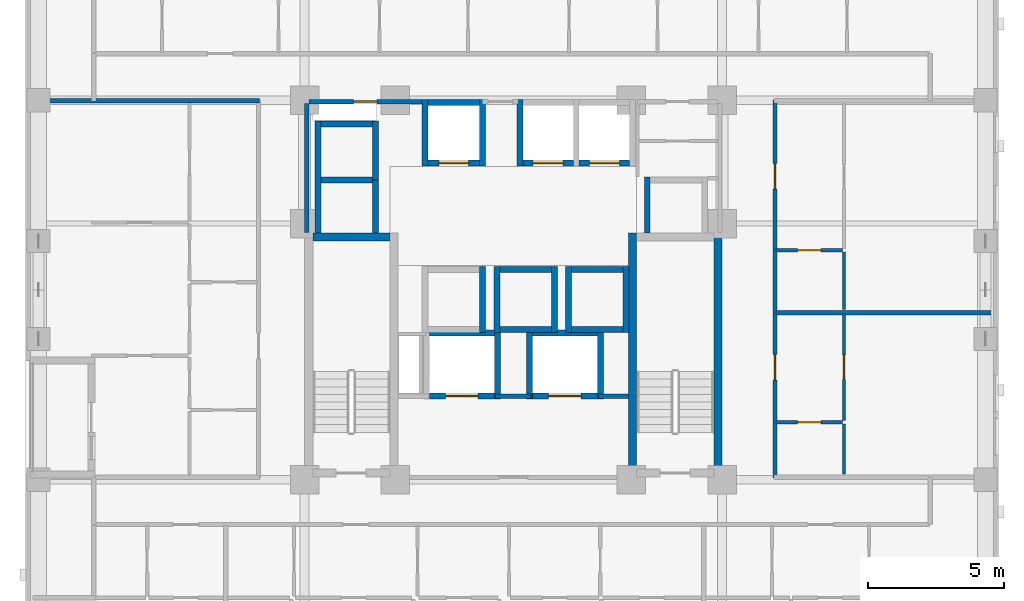
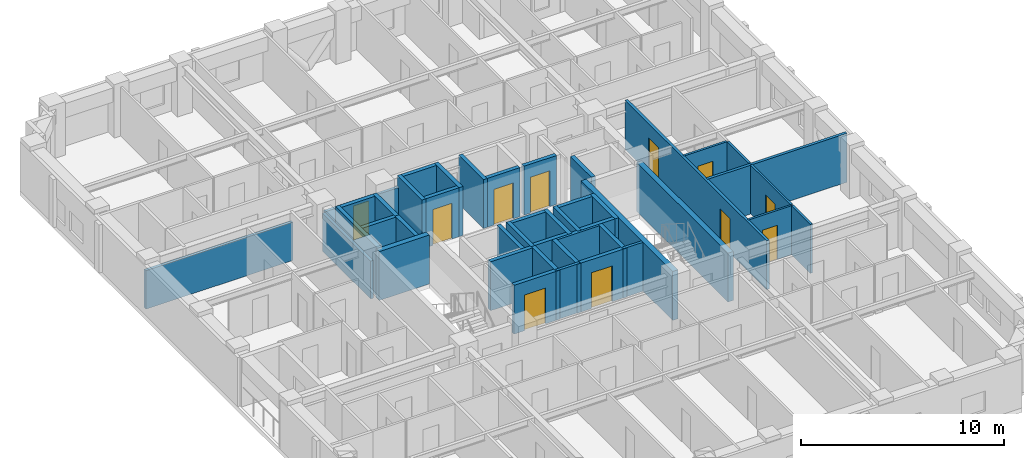
# One storey, part 5 of 12: 44 walls, 11 doors, 11 openings.
"""IFC4 building model written with IfcOpenShell, lengths in metres."""

from ifc_helpers import new_model, si_unit, derived_unit, direction, frame, frame_2d, origin, place, context, subcontext, project, spatial, rectangle, extrude, material, layer, layer_set, type_object, element, fill, save


model = new_model("IFC4")

# Units and contexts
model_context = context("Model", 3, precision=1e-05, world=origin(), true_north=direction((0.0, 1.0)))
body_context = subcontext(model_context, "Body", "Model", "MODEL_VIEW")
ifc_project = project(units=[si_unit("LENGTHUNIT", "METRE"), si_unit("AREAUNIT", "SQUARE_METRE"), si_unit("VOLUMEUNIT", "CUBIC_METRE"), si_unit("PLANEANGLEUNIT", "RADIAN"), si_unit("MASSUNIT", "GRAM", prefix="KILO"), derived_unit("THERMALTRANSMITTANCEUNIT", [(si_unit("MASSUNIT", "GRAM", prefix="KILO"), 1), (si_unit("TIMEUNIT", "SECOND"), -3), (si_unit("THERMODYNAMICTEMPERATUREUNIT", "KELVIN"), -1)])], contexts=[model_context])

# Site, building, storey
site_placement = place(None, origin())
site = spatial("IfcSite", under=ifc_project, at=site_placement, CompositionType="ELEMENT")
building_placement = place(site_placement, origin())
building = spatial("IfcBuilding", under=site, at=building_placement, Name="Korrvale Station Residences", CompositionType="ELEMENT")
storey_placement = place(building_placement, frame((0.0, 0.0, 78.300048828125)))
storey = spatial("IfcBuildingStorey", under=building, at=storey_placement, Name="L21", CompositionType="ELEMENT", Elevation=78.300048828125)

# Walls
ifc_material_1 = material(Name="Concrete C60/75", Category="concrete")
ifc_layer_1 = layer(ifc_material_1, 0.300048828125, Name="Concrete C60/75")
ifc_layer_set_1 = layer_set([ifc_layer_1], Name="Concrete C60/75")
wall_type_1 = type_object("IfcWallType", Name="WAL-CORE-300-C60", PredefinedType="SHEAR", material=ifc_layer_set_1)
wall_1_placement = place(storey_placement, frame((18.10009765625, 23.949951171875, 0.0), z_axis=(0.0, 0.0, 1.0), x_axis=(1.0, 0.0, 0.0)))
element("IfcWall", 1, at=wall_1_placement, inside=storey, type_object=wall_type_1, Name="L21 ST-1 Core Shear Wall North", PredefinedType="SHEAR", context=body_context, shape_type="SweptSolid", body=[
    extrude(rectangle(XDim=2.849853515625, YDim=0.300048828125, at=frame_2d((1.4248046875, 0.0))), origin(), (0.0, 0.0, 1.0), 2.93994140625),
])
for number, where, z_axis, x_axis, name in (
    (2, (29.89990234375, 15.10009765625, 0.0), (0.0, 0.0, 1.0), (0.0, 1.0, 0.0), "L21 ST-2 Core Shear Wall West"),
    (3, (33.050048828125, 15.10009765625, 0.0), (0.0, 0.0, 1.0), (0.0, 1.0, 0.0), "L21 ST-2 Core Shear Wall East"),
):
    element("IfcWall", number, at=place(storey_placement, frame(where, z_axis=z_axis, x_axis=x_axis)), inside=storey, type_object=wall_type_1, Name=name, PredefinedType="SHEAR", context=body_context, shape_type="SweptSolid", body=[
        extrude(rectangle(XDim=9.0, YDim=0.300048828125, at=frame_2d((4.5, 0.0))), origin(), (0.0, 0.0, 1.0), 2.93994140625),
    ])

# Wall, opening, door
ifc_material_2 = material(Name="Acoustic steel-stud gypsum board partition", Category="steel")
ifc_layer_2 = layer(ifc_material_2, 0.1201171875, Name="Acoustic steel-stud gypsum board partition")
ifc_layer_set_2 = layer_set([ifc_layer_2], Name="Acoustic steel-stud gypsum board partition")
wall_type_2 = type_object("IfcWallType", Name="WAL-PART-125", PredefinedType="PARTITIONING", material=ifc_layer_set_2)
wall_2_placement = place(storey_placement, frame((35.18994140625, 17.1201171875, 0.0), z_axis=(0.0, 0.0, 1.0), x_axis=(1.0, 0.0, 0.0)))
wall_2 = element("IfcWall", 4, at=wall_2_placement, inside=storey, type_object=wall_type_2, Name="L21 Suite Partition U06-H01", PredefinedType="PARTITIONING", context=body_context, shape_type="SweptSolid", body=[
    extrude(rectangle(XDim=2.449951171875, YDim=0.1201171875, at=frame_2d((1.22509765625, 0.0))), origin(), (0.0, 0.0, 1.0), 2.93994140625),
])
opening_1_placement = place(wall_2_placement, frame((0.794921875, 0.0, 0.0)))
opening_1 = element("IfcOpeningElement", 5, at=opening_1_placement, cuts=wall_2, Name="Opening DB-860", PredefinedType="OPENING", context=body_context, shape_type="SweptSolid", body=[
    extrude(rectangle(XDim=0.860107421875, YDim=2.050048828125, at=frame_2d((0.43017578125, 1.02490234375))), frame((0.0, 0.070068359375, 0.0), z_axis=(0.0, -1.0, 0.0), x_axis=(1.0, 0.0, 0.0)), (0.0, 0.0, 1.0), 0.14013671875),
])
ifc_material_3 = material(Name="Moisture-resistant solid-core bathroom door", Category="timber")
door_type_1 = type_object("IfcDoorType", Name="DR-BATH-860", OperationType="NOTDEFINED", PredefinedType="DOOR", material=ifc_material_3)
door_1_placement = place(opening_1_placement, origin())
door_1 = element("IfcDoor", 6, at=door_1_placement, inside=storey, type_object=door_type_1, Name="L21 Studio Apartment L21-U06 Bathroom Door", OperationType="SINGLE_SWING_LEFT", OverallHeight=2.050048828125, OverallWidth=0.860107421875, PredefinedType="DOOR", context=body_context, shape_type="SweptSolid", body=[
    extrude(rectangle(XDim=0.860107421875, YDim=2.050048828125, at=frame_2d((0.43017578125, 1.02490234375))), frame((0.0, 0.02490234375, 0.0), z_axis=(0.0, -1.0, 0.0), x_axis=(1.0, 0.0, 0.0)), (0.0, 0.0, 1.0), 0.050048828125),
])
fill(opening_1, door_1)

# Wall
wall_3_placement = place(storey_placement, frame((37.699951171875, 15.2099609375, 0.0), z_axis=(0.0, 0.0, 1.0), x_axis=(0.0, 1.0, 0.0)))
element("IfcWall", 7, at=wall_3_placement, inside=storey, type_object=wall_type_2, Name="L21 Suite Partition U06-V02", PredefinedType="PARTITIONING", context=body_context, shape_type="SweptSolid", body=[
    extrude(rectangle(XDim=1.85009765625, YDim=0.1201171875, at=frame_2d((0.925048828125, 0.0))), origin(), (0.0, 0.0, 1.0), 2.93994140625),
])

# Wall, opening, door
wall_4_placement = place(storey_placement, frame((37.699951171875, 17.179931640625, 0.0), z_axis=(0.0, 0.0, 1.0), x_axis=(0.0, 1.0, 0.0)))
wall_4 = element("IfcWall", 8, at=wall_4_placement, inside=storey, type_object=wall_type_2, Name="L21 Suite Partition U06-V12", PredefinedType="PARTITIONING", context=body_context, shape_type="SweptSolid", body=[
    extrude(rectangle(XDim=3.946044921875, YDim=0.1201171875, at=frame_2d((1.97314453125, 0.0))), origin(), (0.0, 0.0, 1.0), 2.93994140625),
])
opening_2_placement = place(wall_4_placement, frame((1.52294921875, 0.0, 0.0)))
opening_2 = element("IfcOpeningElement", 9, at=opening_2_placement, cuts=wall_4, Name="Opening DI-900", PredefinedType="OPENING", context=body_context, shape_type="SweptSolid", body=[
    extrude(rectangle(XDim=0.89990234375, YDim=2.050048828125, at=frame_2d((0.449951171875, 1.02490234375))), frame((0.0, 0.070068359375, 0.0), z_axis=(0.0, -1.0, 0.0), x_axis=(1.0, 0.0, 0.0)), (0.0, 0.0, 1.0), 0.14013671875),
])
ifc_material_4 = material(Name="Painted solid-core timber interior room door", Category="wood")
door_type_2 = type_object("IfcDoorType", Name="DR-INT-900", OperationType="NOTDEFINED", PredefinedType="DOOR", material=ifc_material_4)
door_2_placement = place(opening_2_placement, origin())
door_2 = element("IfcDoor", 10, at=door_2_placement, inside=storey, type_object=door_type_2, Name="L21 Studio Apartment L21-U06 Kitchen Door", OperationType="SINGLE_SWING_RIGHT", OverallHeight=2.050048828125, OverallWidth=0.89990234375, PredefinedType="DOOR", context=body_context, shape_type="SweptSolid", body=[
    extrude(rectangle(XDim=0.89990234375, YDim=2.050048828125, at=frame_2d((0.449951171875, 1.02490234375))), frame((0.0, 0.02490234375, 0.0), z_axis=(0.0, -1.0, 0.0), x_axis=(1.0, 0.0, 0.0)), (0.0, 0.0, 1.0), 0.050048828125),
])
fill(opening_2, door_2)

wall_5_placement = place(storey_placement, frame((35.18994140625, 23.467041015625, 0.0), z_axis=(0.0, 0.0, 1.0), x_axis=(1.0, 0.0, 0.0)))
wall_5 = element("IfcWall", 11, at=wall_5_placement, inside=storey, type_object=wall_type_2, Name="L21 Suite Partition U07-H01", PredefinedType="PARTITIONING", context=body_context, shape_type="SweptSolid", body=[
    extrude(rectangle(XDim=2.449951171875, YDim=0.1201171875, at=frame_2d((1.22509765625, 0.0))), origin(), (0.0, 0.0, 1.0), 2.93994140625),
])
opening_3_placement = place(wall_5_placement, frame((0.794921875, 0.0, 0.0)))
opening_3 = element("IfcOpeningElement", 12, at=opening_3_placement, cuts=wall_5, Name="Opening DB-860", PredefinedType="OPENING", context=body_context, shape_type="SweptSolid", body=[
    extrude(rectangle(XDim=0.860107421875, YDim=2.050048828125, at=frame_2d((0.43017578125, 1.02490234375))), frame((0.0, 0.070068359375, 0.0), z_axis=(0.0, -1.0, 0.0), x_axis=(1.0, 0.0, 0.0)), (0.0, 0.0, 1.0), 0.14013671875),
])
door_3_placement = place(opening_3_placement, origin())
door_3 = element("IfcDoor", 13, at=door_3_placement, inside=storey, type_object=door_type_1, Name="L21 Studio Apartment L21-U07 Bathroom Door", OperationType="SINGLE_SWING_LEFT", OverallHeight=2.050048828125, OverallWidth=0.860107421875, PredefinedType="DOOR", context=body_context, shape_type="SweptSolid", body=[
    extrude(rectangle(XDim=0.860107421875, YDim=2.050048828125, at=frame_2d((0.43017578125, 1.02490234375))), frame((0.0, 0.02490234375, 0.0), z_axis=(0.0, -1.0, 0.0), x_axis=(1.0, 0.0, 0.0)), (0.0, 0.0, 1.0), 0.050048828125),
])
fill(opening_3, door_3)

# Walls
wall_6_placement = place(storey_placement, frame((37.699951171875, 21.285888671875, 0.0), z_axis=(0.0, 0.0, 1.0), x_axis=(0.0, 1.0, 0.0)))
element("IfcWall", 14, at=wall_6_placement, inside=storey, type_object=wall_type_2, Name="L21 Suite Partition U07-V02", PredefinedType="PARTITIONING", context=body_context, shape_type="SweptSolid", body=[
    extrude(rectangle(XDim=2.12109375, YDim=0.1201171875, at=frame_2d((1.060546875, 0.0))), origin(), (0.0, 0.0, 1.0), 2.93994140625),
])
ifc_material_5 = material(Name="Fire-rated twin-stud gypsum and mineral wool shaftwall assembly", Category="gypsum")
ifc_layer_3 = layer(ifc_material_5, 0.159912109375, Name="Fire-rated twin-stud gypsum and mineral wool shaftwall assembly")
ifc_layer_set_3 = layer_set([ifc_layer_3], Name="Fire-rated twin-stud gypsum and mineral wool shaftwall assembly")
wall_type_3 = type_object("IfcWallType", Name="WAL-PART-200", PredefinedType="PARTITIONING", material=ifc_layer_set_3)
wall_7_placement = place(storey_placement, frame((24.85009765625, 18.080078125, 0.0), z_axis=(0.0, 0.0, 1.0), x_axis=(1.0, 0.0, 0.0)))
element("IfcWall", 15, at=wall_7_placement, inside=storey, type_object=wall_type_3, Name="L21 Core Partition CW-FFL-N2", PredefinedType="PARTITIONING", context=body_context, shape_type="SweptSolid", body=[
    extrude(rectangle(XDim=1.2998046875, YDim=0.159912109375, at=frame_2d((0.64990234375, 0.0))), origin(), (0.0, 0.0, 1.0), 2.93994140625),
])
wall_8_placement = place(storey_placement, frame((28.64990234375, 18.080078125, 0.0), z_axis=(0.0, 0.0, 1.0), x_axis=(1.0, 0.0, 0.0)))
element("IfcWall", 16, at=wall_8_placement, inside=storey, type_object=wall_type_3, Name="L21 Core Partition CW-FFL-N3", PredefinedType="PARTITIONING", context=body_context, shape_type="SweptSolid", body=[
    extrude(rectangle(XDim=1.10009765625, YDim=0.159912109375, at=frame_2d((0.550048828125, 0.0))), origin(), (0.0, 0.0, 1.0), 2.93994140625),
])
wall_9_placement = place(storey_placement, frame((17.8798828125, 24.1201171875, 0.0), z_axis=(0.0, 0.0, 1.0), x_axis=(0.0, 1.0, 0.0)))
element("IfcWall", 17, at=wall_9_placement, inside=storey, type_object=wall_type_3, Name="L21 Core Partition CW-W-N", PredefinedType="PARTITIONING", context=body_context, shape_type="SweptSolid", body=[
    extrude(rectangle(XDim=4.759765625, YDim=0.159912109375, at=frame_2d((2.3798828125, 0.0))), origin(), (0.0, 0.0, 1.0), 2.27490234375),
])

# Wall, opening, door
wall_10_placement = place(storey_placement, frame((17.9599609375, 28.949951171875, 0.0), z_axis=(0.0, 0.0, 1.0), x_axis=(1.0, 0.0, 0.0)))
wall_10 = element("IfcWall", 18, at=wall_10_placement, inside=storey, type_object=wall_type_3, Name="L21 Core Partition CW-NW", PredefinedType="PARTITIONING", context=body_context, shape_type="SweptSolid", body=[
    extrude(rectangle(XDim=4.2900390625, YDim=0.159912109375, at=frame_2d((2.14501953125, 0.0))), origin(), (0.0, 0.0, 1.0), 2.308837890625),
])
opening_4_placement = place(wall_10_placement, frame((1.64501953125, 0.0, 0.0)))
opening_4 = element("IfcOpeningElement", 19, at=opening_4_placement, cuts=wall_10, Name="Opening DB-860", PredefinedType="OPENING", context=body_context, shape_type="SweptSolid", body=[
    extrude(rectangle(XDim=0.860107421875, YDim=2.050048828125, at=frame_2d((0.43017578125, 1.02490234375))), frame((0.0, 0.08984375, 0.0), z_axis=(0.0, -1.0, 0.0), x_axis=(1.0, 0.0, 0.0)), (0.0, 0.0, 1.0), 0.179931640625),
])
door_4_placement = place(opening_4_placement, origin())
door_4 = element("IfcDoor", 20, at=door_4_placement, inside=storey, type_object=door_type_1, Name="L21 Electrical Riser Access Door", OperationType="SINGLE_SWING_RIGHT", OverallHeight=2.050048828125, OverallWidth=0.860107421875, PredefinedType="DOOR", context=body_context, shape_type="SweptSolid", body=[
    extrude(rectangle(XDim=0.860107421875, YDim=2.050048828125, at=frame_2d((0.43017578125, 1.02490234375))), frame((0.0, 0.02490234375, 0.0), z_axis=(0.0, -1.0, 0.0), x_axis=(1.0, 0.0, 0.0)), (0.0, 0.0, 1.0), 0.050048828125),
])
fill(opening_4, door_4)

# Walls
wall_11_placement = place(storey_placement, frame((7.780029296875, 28.97998046875, 0.0), z_axis=(0.0, 0.0, 1.0), x_axis=(1.0, 0.0, 0.0)))
element("IfcWall", 21, at=wall_11_placement, inside=storey, type_object=wall_type_3, Name="L21 West Wing North Corridor Wall", PredefinedType="PARTITIONING", context=body_context, shape_type="SweptSolid", body=[
    extrude(rectangle(XDim=8.35986328125, YDim=0.159912109375, at=frame_2d((4.179931640625, 0.0))), origin(), (0.0, 0.0, 1.0), 2.308837890625),
])
wall_12_placement = place(storey_placement, frame((35.18994140625, 21.166015625, 0.0), z_axis=(0.0, 0.0, 1.0), x_axis=(1.0, 0.0, 0.0)))
element("IfcWall", 22, at=wall_12_placement, inside=storey, type_object=wall_type_3, Name="L21 Demising Wall U06-N", PredefinedType="PARTITIONING", context=body_context, shape_type="SweptSolid", body=[
    extrude(rectangle(XDim=7.93017578125, YDim=0.159912109375, at=frame_2d((3.965087890625, 0.0))), origin(), (0.0, 0.0, 1.0), 2.93994140625),
])

# Wall, openings, doors
wall_13_placement = place(storey_placement, frame((35.14990234375, 15.070068359375, 0.0), z_axis=(0.0, 0.0, 1.0), x_axis=(0.0, 1.0, 0.0)))
wall_13 = element("IfcWall", 23, at=wall_13_placement, inside=storey, type_object=wall_type_3, Name="L21 Rated Corridor Wall E", PredefinedType="PARTITIONING", context=body_context, shape_type="SweptSolid", body=[
    extrude(rectangle(XDim=13.929931640625, YDim=0.159912109375, at=frame_2d((6.96484375, 0.0))), origin(), (0.0, 0.0, 1.0), 2.93994140625),
])
opening_5_placement = place(wall_13_placement, frame((3.60791015625, 0.0, 0.0)))
opening_5 = element("IfcOpeningElement", 24, at=opening_5_placement, cuts=wall_13, Name="Opening UD-950", PredefinedType="OPENING", context=body_context, shape_type="SweptSolid", body=[
    extrude(rectangle(XDim=0.949951171875, YDim=2.10009765625, at=frame_2d((0.47509765625, 1.050048828125))), frame((0.0, 0.08984375, 0.0), z_axis=(0.0, -1.0, 0.0), x_axis=(1.0, 0.0, 0.0)), (0.0, 0.0, 1.0), 0.179931640625),
])
opening_6_placement = place(wall_13_placement, frame((10.64892578125, 0.0, 0.0)))
opening_6 = element("IfcOpeningElement", 25, at=opening_6_placement, cuts=wall_13, Name="Opening UD-950", PredefinedType="OPENING", context=body_context, shape_type="SweptSolid", body=[
    extrude(rectangle(XDim=0.949951171875, YDim=2.10009765625, at=frame_2d((0.47509765625, 1.050048828125))), frame((0.0, 0.08984375, 0.0), z_axis=(0.0, -1.0, 0.0), x_axis=(1.0, 0.0, 0.0)), (0.0, 0.0, 1.0), 0.179931640625),
])
ifc_material_6 = material(Name="Solid-core acoustic oak apartment entrance door", Category="timber")
door_type_3 = type_object("IfcDoorType", Name="DR-UNIT-950", OperationType="NOTDEFINED", PredefinedType="DOOR", material=ifc_material_6)
door_5_placement = place(opening_5_placement, origin())
door_5 = element("IfcDoor", 26, at=door_5_placement, inside=storey, type_object=door_type_3, Name="L21 Apartment L21-U06 Entrance Door", OperationType="SINGLE_SWING_RIGHT", OverallHeight=2.10009765625, OverallWidth=0.949951171875, PredefinedType="DOOR", context=body_context, shape_type="SweptSolid", body=[
    extrude(rectangle(XDim=0.949951171875, YDim=2.10009765625, at=frame_2d((0.47509765625, 1.050048828125))), frame((0.0, 0.02490234375, 0.0), z_axis=(0.0, -1.0, 0.0), x_axis=(1.0, 0.0, 0.0)), (0.0, 0.0, 1.0), 0.050048828125),
])
fill(opening_5, door_5)
door_6_placement = place(opening_6_placement, origin())
door_6 = element("IfcDoor", 27, at=door_6_placement, inside=storey, type_object=door_type_3, Name="L21 Apartment L21-U07 Entrance Door", OperationType="SINGLE_SWING_LEFT", OverallHeight=2.10009765625, OverallWidth=0.949951171875, PredefinedType="DOOR", context=body_context, shape_type="SweptSolid", body=[
    extrude(rectangle(XDim=0.949951171875, YDim=2.10009765625, at=frame_2d((0.47509765625, 1.050048828125))), frame((0.0, 0.02490234375, 0.0), z_axis=(0.0, -1.0, 0.0), x_axis=(1.0, 0.0, 0.0)), (0.0, 0.0, 1.0), 0.050048828125),
])
fill(opening_6, door_6)

# Wall, opening, door
ifc_layer_4 = layer(ifc_material_1, 0.219970703125, Name="Concrete C60/75")
ifc_layer_set_4 = layer_set([ifc_layer_4], Name="Concrete C60/75")
wall_type_4 = type_object("IfcWallType", Name="WAL-SHAFT-220-C60", PredefinedType="SHEAR", material=ifc_layer_set_4)
wall_14_placement = place(storey_placement, frame((22.35009765625, 26.68994140625, 0.0), z_axis=(0.0, 0.0, 1.0), x_axis=(1.0, 0.0, 0.0)))
wall_14 = element("IfcWall", 28, at=wall_14_placement, inside=storey, type_object=wall_type_4, Name="L21 Elevator PL-1 Hoistway Wall South", PredefinedType="SHEAR", context=body_context, shape_type="SweptSolid", body=[
    extrude(rectangle(XDim=1.89990234375, YDim=0.219970703125, at=frame_2d((0.949951171875, 0.0))), origin(), (0.0, 0.0, 1.0), 2.93994140625),
])
opening_7_placement = place(wall_14_placement, frame((0.39990234375, 0.0, 0.0)))
opening_7 = element("IfcOpeningElement", 29, at=opening_7_placement, cuts=wall_14, Name="Opening LD-1100", PredefinedType="OPENING", context=body_context, shape_type="SweptSolid", body=[
    extrude(rectangle(XDim=1.10009765625, YDim=2.14990234375, at=frame_2d((0.550048828125, 1.074951171875))), frame((0.0, 0.1201171875, 0.0), z_axis=(0.0, -1.0, 0.0), x_axis=(1.0, 0.0, 0.0)), (0.0, 0.0, 1.0), 0.239990234375),
])
ifc_material_7 = material(Name="Brushed stainless-steel elevator landing sliding door", Category="steel")
door_type_4 = type_object("IfcDoorType", Name="DR-LIFT-1100", OperationType="SLIDING_TO_LEFT", PredefinedType="DOOR", material=ifc_material_7)
door_7_placement = place(opening_7_placement, origin())
door_7 = element("IfcDoor", 30, at=door_7_placement, inside=storey, type_object=door_type_4, Name="L21 Elevator PL-1 Sliding Landing Door", OperationType="SLIDING_TO_LEFT", OverallHeight=2.14990234375, OverallWidth=1.10009765625, PredefinedType="DOOR", context=body_context, shape_type="SweptSolid", body=[
    extrude(rectangle(XDim=1.10009765625, YDim=2.14990234375, at=frame_2d((0.550048828125, 1.074951171875))), frame((0.0, 0.02490234375, 0.0), z_axis=(0.0, -1.0, 0.0), x_axis=(1.0, 0.0, 0.0)), (0.0, 0.0, 1.0), 0.050048828125),
])
fill(opening_7, door_7)

# Walls
wall_15_placement = place(storey_placement, frame((22.35009765625, 28.909912109375, 0.0), z_axis=(0.0, 0.0, 1.0), x_axis=(1.0, 0.0, 0.0)))
element("IfcWall", 31, at=wall_15_placement, inside=storey, type_object=wall_type_4, Name="L21 Elevator PL-1 Hoistway Wall North", PredefinedType="SHEAR", context=body_context, shape_type="SweptSolid", body=[
    extrude(rectangle(XDim=1.89990234375, YDim=0.219970703125, at=frame_2d((0.949951171875, 0.0))), origin(), (0.0, 0.0, 1.0), 2.93994140625),
])
for number, where, z_axis, x_axis, name in (
    (32, (22.239990234375, 26.580078125, 0.0), (0.0, 0.0, 1.0), (0.0, 1.0, 0.0), "L21 Elevator PL-1 Hoistway Wall West"),
    (33, (24.360107421875, 26.580078125, 0.0), (0.0, 0.0, 1.0), (0.0, 1.0, 0.0), "L21 Elevator PL-1 Hoistway Wall East"),
):
    element("IfcWall", number, at=place(storey_placement, frame(where, z_axis=z_axis, x_axis=x_axis)), inside=storey, type_object=wall_type_4, Name=name, PredefinedType="SHEAR", context=body_context, shape_type="SweptSolid", body=[
        extrude(rectangle(XDim=2.43994140625, YDim=0.219970703125, at=frame_2d((1.219970703125, 0.0))), origin(), (0.0, 0.0, 1.0), 2.93994140625),
    ])

# Wall, opening, door
wall_16_placement = place(storey_placement, frame((25.85009765625, 26.68994140625, 0.0), z_axis=(0.0, 0.0, 1.0), x_axis=(1.0, 0.0, 0.0)))
wall_16 = element("IfcWall", 34, at=wall_16_placement, inside=storey, type_object=wall_type_4, Name="L21 Elevator PL-2 Hoistway Wall South", PredefinedType="SHEAR", context=body_context, shape_type="SweptSolid", body=[
    extrude(rectangle(XDim=1.85986328125, YDim=0.219970703125, at=frame_2d((0.929931640625, 0.0))), origin(), (0.0, 0.0, 1.0), 2.93994140625),
])
opening_8_placement = place(wall_16_placement, frame((0.3798828125, 0.0, 0.0)))
opening_8 = element("IfcOpeningElement", 35, at=opening_8_placement, cuts=wall_16, Name="Opening LD-1100", PredefinedType="OPENING", context=body_context, shape_type="SweptSolid", body=[
    extrude(rectangle(XDim=1.10009765625, YDim=2.14990234375, at=frame_2d((0.550048828125, 1.074951171875))), frame((0.0, 0.1201171875, 0.0), z_axis=(0.0, -1.0, 0.0), x_axis=(1.0, 0.0, 0.0)), (0.0, 0.0, 1.0), 0.239990234375),
])
door_8_placement = place(opening_8_placement, origin())
door_8 = element("IfcDoor", 36, at=door_8_placement, inside=storey, type_object=door_type_4, Name="L21 Elevator PL-2 Sliding Landing Door", OperationType="SLIDING_TO_LEFT", OverallHeight=2.14990234375, OverallWidth=1.10009765625, PredefinedType="DOOR", context=body_context, shape_type="SweptSolid", body=[
    extrude(rectangle(XDim=1.10009765625, YDim=2.14990234375, at=frame_2d((0.550048828125, 1.074951171875))), frame((0.0, 0.02490234375, 0.0), z_axis=(0.0, -1.0, 0.0), x_axis=(1.0, 0.0, 0.0)), (0.0, 0.0, 1.0), 0.050048828125),
])
fill(opening_8, door_8)

# Wall
wall_17_placement = place(storey_placement, frame((25.739990234375, 26.580078125, 0.0), z_axis=(0.0, 0.0, 1.0), x_axis=(0.0, 1.0, 0.0)))
element("IfcWall", 37, at=wall_17_placement, inside=storey, type_object=wall_type_4, Name="L21 Elevator PL-2 Hoistway Wall West", PredefinedType="SHEAR", context=body_context, shape_type="SweptSolid", body=[
    extrude(rectangle(XDim=2.43994140625, YDim=0.219970703125, at=frame_2d((1.219970703125, 0.0))), origin(), (0.0, 0.0, 1.0), 2.93994140625),
])

# Wall, opening, door
wall_18_placement = place(storey_placement, frame((27.929931640625, 26.68994140625, 0.0), z_axis=(0.0, 0.0, 1.0), x_axis=(1.0, 0.0, 0.0)))
wall_18 = element("IfcWall", 38, at=wall_18_placement, inside=storey, type_object=wall_type_4, Name="L21 Elevator PL-3 Hoistway Wall South", PredefinedType="SHEAR", context=body_context, shape_type="SweptSolid", body=[
    extrude(rectangle(XDim=1.860107421875, YDim=0.219970703125, at=frame_2d((0.93017578125, 0.0))), origin(), (0.0, 0.0, 1.0), 2.93994140625),
])
opening_9_placement = place(wall_18_placement, frame((0.3798828125, 0.0, 0.0)))
opening_9 = element("IfcOpeningElement", 39, at=opening_9_placement, cuts=wall_18, Name="Opening LD-1100", PredefinedType="OPENING", context=body_context, shape_type="SweptSolid", body=[
    extrude(rectangle(XDim=1.10009765625, YDim=2.14990234375, at=frame_2d((0.550048828125, 1.074951171875))), frame((0.0, 0.1201171875, 0.0), z_axis=(0.0, -1.0, 0.0), x_axis=(1.0, 0.0, 0.0)), (0.0, 0.0, 1.0), 0.239990234375),
])
door_9_placement = place(opening_9_placement, origin())
door_9 = element("IfcDoor", 40, at=door_9_placement, inside=storey, type_object=door_type_4, Name="L21 Elevator PL-3 Sliding Landing Door", OperationType="SLIDING_TO_LEFT", OverallHeight=2.14990234375, OverallWidth=1.10009765625, PredefinedType="DOOR", context=body_context, shape_type="SweptSolid", body=[
    extrude(rectangle(XDim=1.10009765625, YDim=2.14990234375, at=frame_2d((0.550048828125, 1.074951171875))), frame((0.0, 0.02490234375, 0.0), z_axis=(0.0, -1.0, 0.0), x_axis=(1.0, 0.0, 0.0)), (0.0, 0.0, 1.0), 0.050048828125),
])
fill(opening_9, door_9)

# Walls
wall_19_placement = place(storey_placement, frame((24.360107421875, 20.429931640625, 0.0), z_axis=(0.0, 0.0, 1.0), x_axis=(0.0, 1.0, 0.0)))
element("IfcWall", 41, at=wall_19_placement, inside=storey, type_object=wall_type_4, Name="L21 Elevator PM-1 Hoistway Wall East", PredefinedType="SHEAR", context=body_context, shape_type="SweptSolid", body=[
    extrude(rectangle(XDim=2.440185546875, YDim=0.219970703125, at=frame_2d((1.22021484375, 0.0))), origin(), (0.0, 0.0, 1.0), 2.93994140625),
])
for number, where, z_axis, x_axis, name in (
    (42, (25.0, 20.5400390625, 0.0), (0.0, 0.0, 1.0), (1.0, 0.0, 0.0), "L21 Elevator PM-2 Hoistway Wall South"),
    (43, (25.0, 22.760009765625, 0.0), (0.0, 0.0, 1.0), (1.0, 0.0, 0.0), "L21 Elevator PM-2 Hoistway Wall North"),
):
    element("IfcWall", number, at=place(storey_placement, frame(where, z_axis=z_axis, x_axis=x_axis)), inside=storey, type_object=wall_type_4, Name=name, PredefinedType="SHEAR", context=body_context, shape_type="SweptSolid", body=[
        extrude(rectangle(XDim=1.89990234375, YDim=0.219970703125, at=frame_2d((0.949951171875, 0.0))), origin(), (0.0, 0.0, 1.0), 2.93994140625),
    ])
for number, where, z_axis, x_axis, name in (
    (44, (24.889892578125, 20.429931640625, 0.0), (0.0, 0.0, 1.0), (0.0, 1.0, 0.0), "L21 Elevator PM-2 Hoistway Wall West"),
    (45, (27.010009765625, 20.429931640625, 0.0), (0.0, 0.0, 1.0), (0.0, 1.0, 0.0), "L21 Elevator PM-2 Hoistway Wall East"),
):
    element("IfcWall", number, at=place(storey_placement, frame(where, z_axis=z_axis, x_axis=x_axis)), inside=storey, type_object=wall_type_4, Name=name, PredefinedType="SHEAR", context=body_context, shape_type="SweptSolid", body=[
        extrude(rectangle(XDim=2.440185546875, YDim=0.219970703125, at=frame_2d((1.22021484375, 0.0))), origin(), (0.0, 0.0, 1.0), 2.93994140625),
    ])
for number, where, z_axis, x_axis, name in (
    (46, (27.64990234375, 20.5400390625, 0.0), (0.0, 0.0, 1.0), (1.0, 0.0, 0.0), "L21 Elevator PM-3 Hoistway Wall South"),
    (47, (27.64990234375, 22.760009765625, 0.0), (0.0, 0.0, 1.0), (1.0, 0.0, 0.0), "L21 Elevator PM-3 Hoistway Wall North"),
):
    element("IfcWall", number, at=place(storey_placement, frame(where, z_axis=z_axis, x_axis=x_axis)), inside=storey, type_object=wall_type_4, Name=name, PredefinedType="SHEAR", context=body_context, shape_type="SweptSolid", body=[
        extrude(rectangle(XDim=1.900146484375, YDim=0.219970703125, at=frame_2d((0.9501953125, 0.0))), origin(), (0.0, 0.0, 1.0), 2.93994140625),
    ])
for number, where, z_axis, x_axis, name in (
    (48, (27.5400390625, 20.429931640625, 0.0), (0.0, 0.0, 1.0), (0.0, 1.0, 0.0), "L21 Elevator PM-3 Hoistway Wall West"),
    (49, (29.659912109375, 20.429931640625, 0.0), (0.0, 0.0, 1.0), (0.0, 1.0, 0.0), "L21 Elevator PM-3 Hoistway Wall East"),
):
    element("IfcWall", number, at=place(storey_placement, frame(where, z_axis=z_axis, x_axis=x_axis)), inside=storey, type_object=wall_type_4, Name=name, PredefinedType="SHEAR", context=body_context, shape_type="SweptSolid", body=[
        extrude(rectangle(XDim=2.440185546875, YDim=0.219970703125, at=frame_2d((1.22021484375, 0.0))), origin(), (0.0, 0.0, 1.0), 2.93994140625),
    ])
wall_20_placement = place(storey_placement, frame((18.2900390625, 24.10009765625, 0.0), z_axis=(0.0, 0.0, 1.0), x_axis=(0.0, 1.0, 0.0)))
element("IfcWall", 50, at=wall_20_placement, inside=storey, type_object=wall_type_4, Name="L21 Elevator PH-1 Hoistway Wall West", PredefinedType="SHEAR", context=body_context, shape_type="SweptSolid", body=[
    extrude(rectangle(XDim=4.139892578125, YDim=0.219970703125, at=frame_2d((2.06982421875, 0.0))), origin(), (0.0, 0.0, 1.0), 2.93994140625),
])
wall_21_placement = place(storey_placement, frame((20.409912109375, 24.10009765625, 0.0), z_axis=(0.0, 0.0, 1.0), x_axis=(0.0, 1.0, 0.0)))
element("IfcWall", 51, at=wall_21_placement, inside=storey, type_object=wall_type_4, Name="L21 Elevator PH-1 Hoistway Wall East", PredefinedType="SHEAR", context=body_context, shape_type="SweptSolid", body=[
    extrude(rectangle(XDim=1.9599609375, YDim=0.219970703125, at=frame_2d((0.97998046875, 0.0))), origin(), (0.0, 0.0, 1.0), 2.93994140625),
])
for number, where, z_axis, x_axis, name in (
    (52, (18.39990234375, 26.06005859375, 0.0), (0.0, 0.0, 1.0), (1.0, 0.0, 0.0), "L21 Elevator PH-2 Hoistway Wall South"),
    (53, (18.39990234375, 28.1298828125, 0.0), (0.0, 0.0, 1.0), (1.0, 0.0, 0.0), "L21 Elevator PH-2 Hoistway Wall North"),
):
    element("IfcWall", number, at=place(storey_placement, frame(where, z_axis=z_axis, x_axis=x_axis)), inside=storey, type_object=wall_type_4, Name=name, PredefinedType="SHEAR", context=body_context, shape_type="SweptSolid", body=[
        extrude(rectangle(XDim=1.900146484375, YDim=0.219970703125, at=frame_2d((0.9501953125, 0.0))), origin(), (0.0, 0.0, 1.0), 2.93994140625),
    ])
wall_22_placement = place(storey_placement, frame((20.409912109375, 26.06005859375, 0.0), z_axis=(0.0, 0.0, 1.0), x_axis=(0.0, 1.0, 0.0)))
element("IfcWall", 54, at=wall_22_placement, inside=storey, type_object=wall_type_4, Name="L21 Elevator PH-2 Hoistway Wall East", PredefinedType="SHEAR", context=body_context, shape_type="SweptSolid", body=[
    extrude(rectangle(XDim=2.179931640625, YDim=0.219970703125, at=frame_2d((1.08984375, 0.0))), origin(), (0.0, 0.0, 1.0), 2.93994140625),
])
wall_23_placement = place(storey_placement, frame((30.43994140625, 24.10009765625, 0.0), z_axis=(0.0, 0.0, 1.0), x_axis=(0.0, 1.0, 0.0)))
element("IfcWall", 55, at=wall_23_placement, inside=storey, type_object=wall_type_4, Name="L21 Elevator PH-3 Hoistway Wall West", PredefinedType="SHEAR", context=body_context, shape_type="SweptSolid", body=[
    extrude(rectangle(XDim=2.06982421875, YDim=0.219970703125, at=frame_2d((1.034912109375, 0.0))), origin(), (0.0, 0.0, 1.0), 2.93994140625),
])

# Wall, opening, door
wall_24_placement = place(storey_placement, frame((22.39990234375, 18.090087890625, 0.0), z_axis=(0.0, 0.0, 1.0), x_axis=(1.0, 0.0, 0.0)))
wall_24 = element("IfcWall", 56, at=wall_24_placement, inside=storey, type_object=wall_type_4, Name="L21 Elevator FFL-1 Hoistway Wall South", PredefinedType="SHEAR", context=body_context, shape_type="SweptSolid", body=[
    extrude(rectangle(XDim=2.400146484375, YDim=0.219970703125, at=frame_2d((1.2001953125, 0.0))), origin(), (0.0, 0.0, 1.0), 2.93994140625),
])
opening_10_placement = place(wall_24_placement, frame((0.60009765625, 0.0, 0.0)))
opening_10 = element("IfcOpeningElement", 57, at=opening_10_placement, cuts=wall_24, Name="Opening LD-FF1200", PredefinedType="OPENING", context=body_context, shape_type="SweptSolid", body=[
    extrude(rectangle(XDim=1.199951171875, YDim=2.14990234375, at=frame_2d((0.60009765625, 1.074951171875))), frame((0.0, 0.1201171875, 0.0), z_axis=(0.0, -1.0, 0.0), x_axis=(1.0, 0.0, 0.0)), (0.0, 0.0, 1.0), 0.239990234375),
])
ifc_material_8 = material(Name="Stainless-steel firefighter elevator landing sliding door", Category="steel")
door_type_5 = type_object("IfcDoorType", Name="DR-LIFT-FF1200", OperationType="SLIDING_TO_LEFT", PredefinedType="DOOR", material=ifc_material_8)
door_10_placement = place(opening_10_placement, origin())
door_10 = element("IfcDoor", 58, at=door_10_placement, inside=storey, type_object=door_type_5, Name="L21 Elevator FFL-1 Sliding Landing Door", OperationType="SLIDING_TO_LEFT", OverallHeight=2.14990234375, OverallWidth=1.199951171875, PredefinedType="DOOR", context=body_context, shape_type="SweptSolid", body=[
    extrude(rectangle(XDim=1.199951171875, YDim=2.14990234375, at=frame_2d((0.60009765625, 1.074951171875))), frame((0.0, 0.02490234375, 0.0), z_axis=(0.0, -1.0, 0.0), x_axis=(1.0, 0.0, 0.0)), (0.0, 0.0, 1.0), 0.050048828125),
])
fill(opening_10, door_10)

# Walls
wall_25_placement = place(storey_placement, frame((22.39990234375, 20.409912109375, 0.0), z_axis=(0.0, 0.0, 1.0), x_axis=(1.0, 0.0, 0.0)))
element("IfcWall", 59, at=wall_25_placement, inside=storey, type_object=wall_type_4, Name="L21 Elevator FFL-1 Hoistway Wall North", PredefinedType="SHEAR", context=body_context, shape_type="SweptSolid", body=[
    extrude(rectangle(XDim=2.400146484375, YDim=0.219970703125, at=frame_2d((1.2001953125, 0.0))), origin(), (0.0, 0.0, 1.0), 2.93994140625),
])
wall_26_placement = place(storey_placement, frame((24.909912109375, 17.97998046875, 0.0), z_axis=(0.0, 0.0, 1.0), x_axis=(0.0, 1.0, 0.0)))
element("IfcWall", 60, at=wall_26_placement, inside=storey, type_object=wall_type_4, Name="L21 Elevator FFL-1 Hoistway Wall East", PredefinedType="SHEAR", context=body_context, shape_type="SweptSolid", body=[
    extrude(rectangle(XDim=2.5400390625, YDim=0.219970703125, at=frame_2d((1.27001953125, 0.0))), origin(), (0.0, 0.0, 1.0), 2.93994140625),
])

# Wall, opening, door
wall_27_placement = place(storey_placement, frame((26.199951171875, 18.090087890625, 0.0), z_axis=(0.0, 0.0, 1.0), x_axis=(1.0, 0.0, 0.0)))
wall_27 = element("IfcWall", 61, at=wall_27_placement, inside=storey, type_object=wall_type_4, Name="L21 Elevator FFL-2 Hoistway Wall South", PredefinedType="SHEAR", context=body_context, shape_type="SweptSolid", body=[
    extrude(rectangle(XDim=2.400146484375, YDim=0.219970703125, at=frame_2d((1.2001953125, 0.0))), origin(), (0.0, 0.0, 1.0), 2.93994140625),
])
opening_11_placement = place(wall_27_placement, frame((0.60009765625, 0.0, 0.0)))
opening_11 = element("IfcOpeningElement", 62, at=opening_11_placement, cuts=wall_27, Name="Opening LD-FF1200", PredefinedType="OPENING", context=body_context, shape_type="SweptSolid", body=[
    extrude(rectangle(XDim=1.199951171875, YDim=2.14990234375, at=frame_2d((0.60009765625, 1.074951171875))), frame((0.0, 0.1201171875, 0.0), z_axis=(0.0, -1.0, 0.0), x_axis=(1.0, 0.0, 0.0)), (0.0, 0.0, 1.0), 0.239990234375),
])
door_11_placement = place(opening_11_placement, origin())
door_11 = element("IfcDoor", 63, at=door_11_placement, inside=storey, type_object=door_type_5, Name="L21 Elevator FFL-2 Sliding Landing Door", OperationType="SLIDING_TO_LEFT", OverallHeight=2.14990234375, OverallWidth=1.199951171875, PredefinedType="DOOR", context=body_context, shape_type="SweptSolid", body=[
    extrude(rectangle(XDim=1.199951171875, YDim=2.14990234375, at=frame_2d((0.60009765625, 1.074951171875))), frame((0.0, 0.02490234375, 0.0), z_axis=(0.0, -1.0, 0.0), x_axis=(1.0, 0.0, 0.0)), (0.0, 0.0, 1.0), 0.050048828125),
])
fill(opening_11, door_11)

# Walls
wall_28_placement = place(storey_placement, frame((26.199951171875, 20.409912109375, 0.0), z_axis=(0.0, 0.0, 1.0), x_axis=(1.0, 0.0, 0.0)))
element("IfcWall", 64, at=wall_28_placement, inside=storey, type_object=wall_type_4, Name="L21 Elevator FFL-2 Hoistway Wall North", PredefinedType="SHEAR", context=body_context, shape_type="SweptSolid", body=[
    extrude(rectangle(XDim=2.400146484375, YDim=0.219970703125, at=frame_2d((1.2001953125, 0.0))), origin(), (0.0, 0.0, 1.0), 2.93994140625),
])
for number, where, z_axis, x_axis, name in (
    (65, (26.090087890625, 17.97998046875, 0.0), (0.0, 0.0, 1.0), (0.0, 1.0, 0.0), "L21 Elevator FFL-2 Hoistway Wall West"),
    (66, (28.7099609375, 17.97998046875, 0.0), (0.0, 0.0, 1.0), (0.0, 1.0, 0.0), "L21 Elevator FFL-2 Hoistway Wall East"),
):
    element("IfcWall", number, at=place(storey_placement, frame(where, z_axis=z_axis, x_axis=x_axis)), inside=storey, type_object=wall_type_4, Name=name, PredefinedType="SHEAR", context=body_context, shape_type="SweptSolid", body=[
        extrude(rectangle(XDim=2.5400390625, YDim=0.219970703125, at=frame_2d((1.27001953125, 0.0))), origin(), (0.0, 0.0, 1.0), 2.93994140625),
    ])

save(model, "model.ifc")
